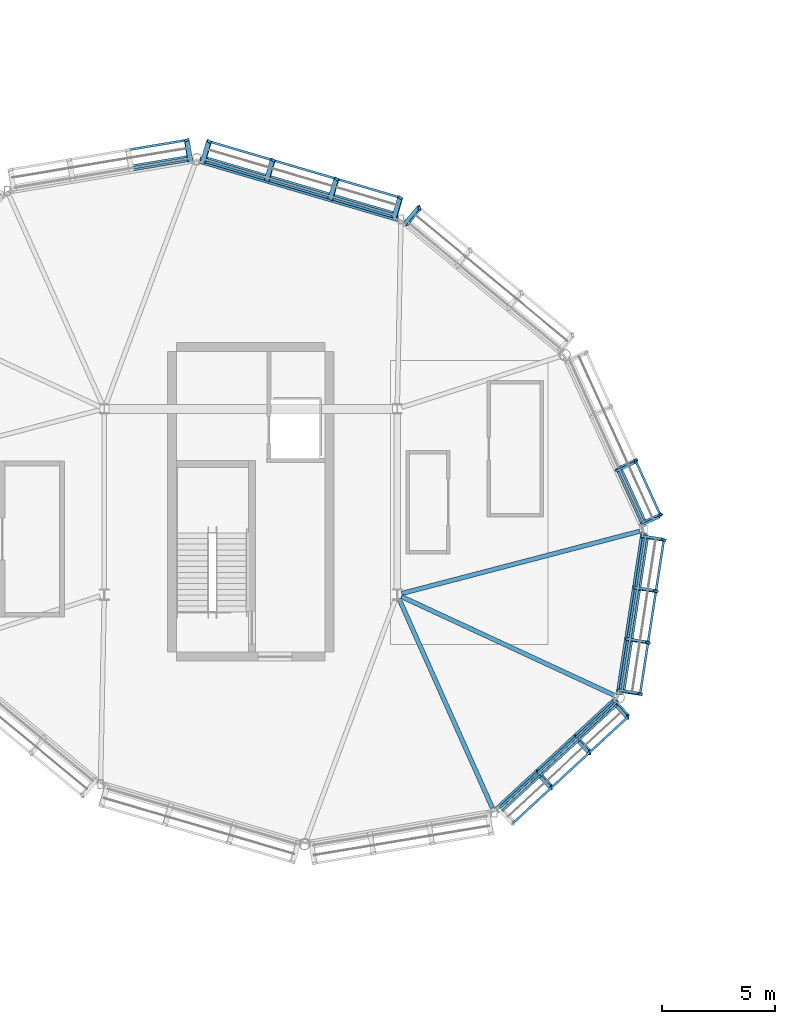
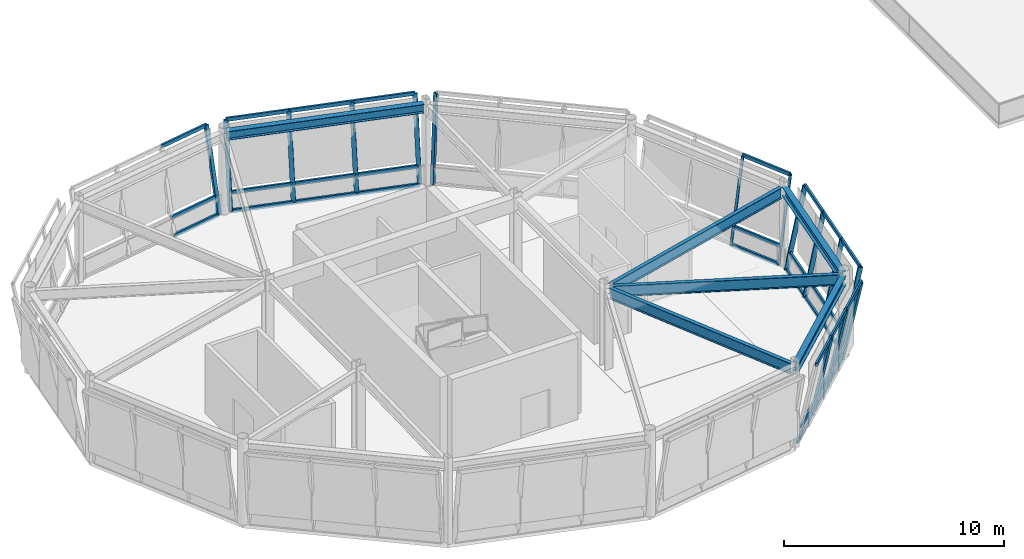
# One storey, part 46 of 94: 48 members, 6 beams, 6 elements without a shape of their own.
"""IFC4 building model written with IfcOpenShell, lengths in metres."""

from ifc_helpers import new_model, si_unit, direction, frame, origin, origin_2d, place, context, subcontext, project, spatial, hollow_rectangle, i_section, extrude, material, material_profile, profile_set, type_object, element, aggregate, save


model = new_model("IFC4")

# Units and contexts
model_context = context("Model", 3, precision=1e-05, world=origin(), true_north=direction((0.0, 1.0)))
body_context = subcontext(model_context, "Body", "Model", "MODEL_VIEW")
ifc_project = project(units=[si_unit("LENGTHUNIT", "METRE"), si_unit("AREAUNIT", "SQUARE_METRE"), si_unit("VOLUMEUNIT", "CUBIC_METRE"), si_unit("PLANEANGLEUNIT", "RADIAN"), si_unit("MASSUNIT", "GRAM", prefix="KILO")], contexts=[model_context])

# Site, building, storey
site_placement = place(None, origin())
site = spatial("IfcSite", under=ifc_project, at=site_placement, CompositionType="ELEMENT")
building_placement = place(site_placement, origin())
building = spatial("IfcBuilding", under=site, at=building_placement, Name="Linyun Crest Stadium", CompositionType="ELEMENT")
storey_placement = place(building_placement, frame((0.0, 0.0, 16.199951171875)))
storey = spatial("IfcBuildingStorey", under=building, at=storey_placement, Name="L04", CompositionType="ELEMENT", Elevation=16.199951171875)

# Beams
ifc_material_1 = material(Name="Steel Q355C", Category="steel")
ifc_material_profile_1 = material_profile(ifc_material_1, i_section(OverallWidth=0.300048828125, OverallDepth=0.488037109375, WebThickness=0.010986328125, FlangeThickness=0.01806640625, at=origin_2d()), Name="HM 488x300")
ifc_profile_set_1 = profile_set([ifc_material_profile_1], Name="Steel Q355C")
beam_type_1 = type_object("IfcBeamType", Name="B08", PredefinedType="BEAM", material=ifc_profile_set_1)
beam_1_placement = place(storey_placement, frame((-57.14697265625, 76.05908203125, 4.276123046875), z_axis=(0.152213453027, 0.988347643655, 0.0), x_axis=(-0.988347643655, 0.152213453027, 0.0)))
element("IfcBeam", 1, at=beam_1_placement, inside=storey, type_object=beam_type_1, Name="Pod ring girder B08 L04 25", PredefinedType="BEAM", context=body_context, shape_type="SweptSolid", body=[
    extrude(i_section(OverallWidth=0.300048828125, OverallDepth=0.488037109375, WebThickness=0.010986328125, FlangeThickness=0.01806640625, at=origin_2d()), origin(), (0.0, 0.0, 1.0), 7.278564453125),
])
beam_2_placement = place(storey_placement, frame((-66.948974609375, 97.197021484375, 4.276123046875), z_axis=(-0.959427571735, 0.281955199623, 0.0), x_axis=(-0.281955199623, -0.959427571735, 0.0)))
element("IfcBeam", 2, at=beam_2_placement, inside=storey, type_object=beam_type_1, Name="Pod ring girder B08 L04 31", PredefinedType="BEAM", context=body_context, shape_type="SweptSolid", body=[
    extrude(i_section(OverallWidth=0.300048828125, OverallDepth=0.488037109375, WebThickness=0.010986328125, FlangeThickness=0.01806640625, at=origin_2d()), origin(), (0.0, 0.0, 1.0), 9.203369140625),
])
beam_3_placement = place(storey_placement, frame((-62.59912109375, 70.9150390625, 4.276123046875), z_axis=(0.734193861678, 0.678939889441, 0.0), x_axis=(-0.678939889441, 0.734193861678, 0.0)))
element("IfcBeam", 3, at=beam_3_placement, inside=storey, type_object=beam_type_1, Name="Pod ring girder B08 L04 47", PredefinedType="BEAM", context=body_context, shape_type="SweptSolid", body=[
    extrude(i_section(OverallWidth=0.300048828125, OverallDepth=0.488037109375, WebThickness=0.010986328125, FlangeThickness=0.01806640625, at=origin_2d()), origin(), (0.0, 0.0, 1.0), 7.28173828125),
])
ifc_material_2 = material(Name="Steel Q355C", Category="steel")
ifc_material_profile_2 = material_profile(ifc_material_2, i_section(OverallWidth=0.199951171875, OverallDepth=0.60009765625, WebThickness=0.010986328125, FlangeThickness=0.01708984375, at=origin_2d()), Name="HN 600x200")
ifc_profile_set_2 = profile_set([ifc_material_profile_2], Name="Steel Q355C")
beam_type_2 = type_object("IfcBeamType", Name="B11", PredefinedType="BEAM", material=ifc_profile_set_2)
beam_4_placement = place(storey_placement, frame((-66.819091796875, 80.416015625, 4.219970703125), z_axis=(0.907241490816, -0.420610125106, 0.0), x_axis=(0.420610125106, 0.907241490816, 0.0)))
element("IfcBeam", 4, at=beam_4_placement, inside=storey, type_object=beam_type_2, Name="Pod radial tie girder B11 L04 26", PredefinedType="BEAM", context=body_context, shape_type="SweptSolid", body=[
    extrude(i_section(OverallWidth=0.199951171875, OverallDepth=0.60009765625, WebThickness=0.010986328125, FlangeThickness=0.01708984375, at=origin_2d()), origin(), (0.0, 0.0, 1.0), 10.420654296875),
])
beam_5_placement = place(storey_placement, frame((-66.806884765625, 80.551025390625, 4.219970703125), z_axis=(0.967466930693, 0.252997505948, 0.0), x_axis=(-0.252997505948, 0.967466930693, 0.0)))
element("IfcBeam", 5, at=beam_5_placement, inside=storey, type_object=beam_type_2, Name="Pod radial tie girder B11 L04 28", PredefinedType="BEAM", context=body_context, shape_type="SweptSolid", body=[
    extrude(i_section(OverallWidth=0.199951171875, OverallDepth=0.60009765625, WebThickness=0.010986328125, FlangeThickness=0.01708984375, at=origin_2d()), origin(), (0.0, 0.0, 1.0), 10.928466796875),
])
beam_6_placement = place(storey_placement, frame((-66.9189453125, 80.31689453125, 4.219970703125), z_axis=(0.407495258441, -0.913207322763, 0.0), x_axis=(0.913207322763, 0.407495258441, 0.0)))
element("IfcBeam", 6, at=beam_6_placement, inside=storey, type_object=beam_type_2, Name="Pod radial tie girder B11 L04 48", PredefinedType="BEAM", context=body_context, shape_type="SweptSolid", body=[
    extrude(i_section(OverallWidth=0.199951171875, OverallDepth=0.60009765625, WebThickness=0.010986328125, FlangeThickness=0.01708984375, at=origin_2d()), origin(), (0.0, 0.0, 1.0), 10.1640625),
])

# Curtain wall, members
ifc_material_3 = material(Name="Verdigris steel and low-E curtain wall assembly", Category="steel")
curtain_wall_type = type_object("IfcCurtainWallType", Name="MCW04", PredefinedType="NOTDEFINED", material=ifc_material_3)
curtain_wall_1_placement = place(storey_placement, origin())
curtain_wall_1 = element("IfcCurtainWall", 7, at=curtain_wall_1_placement, inside=storey, type_object=curtain_wall_type, Name="CWR-001", PredefinedType="NOTDEFINED")
ifc_material_4 = material(Name="Verdigris painted steel Q355C pod mullion", Category="steel")
ifc_material_profile_3 = material_profile(ifc_material_4, hollow_rectangle(XDim=0.1201171875, YDim=0.219970703125, WallThickness=0.008056640625, at=origin_2d()), Name="RHS 220x120x8")
ifc_profile_set_3 = profile_set([ifc_material_profile_3], Name="Verdigris painted steel Q355C pod mullion")
member_type_1 = type_object("IfcMemberType", Name="ML04", PredefinedType="MULLION", material=ifc_profile_set_3)
member_1_placement = place(storey_placement, frame((-57.118896484375, 76.237060546875, 0.0), z_axis=(0.197078126457, -0.030307333002, 0.979919219956), x_axis=(-0.297564133026, -0.954219848117, 0.030332625933)))
member_1 = element("IfcMember", 8, at=member_1_placement, type_object=member_type_1, Name="CWR-001 mullion 1", PredefinedType="MULLION", context=body_context, shape_type="SweptSolid", body=[
    extrude(hollow_rectangle(XDim=0.1201171875, YDim=0.219970703125, WallThickness=0.008056640625, at=origin_2d()), origin(), (0.0, 0.0, 1.0), 4.55126953125),
])
member_2_placement = place(storey_placement, frame((-56.76806640625, 78.51611328125, 0.0), z_axis=(0.19707780578, -0.030360924897, 0.979917625471), x_axis=(-0.297817594375, -0.954140733838, 0.030333817954)))
member_2 = element("IfcMember", 9, at=member_2_placement, type_object=member_type_1, Name="CWR-001 mullion 2", PredefinedType="MULLION", context=body_context, shape_type="SweptSolid", body=[
    extrude(hollow_rectangle(XDim=0.1201171875, YDim=0.219970703125, WallThickness=0.008056640625, at=origin_2d()), origin(), (0.0, 0.0, 1.0), 4.55126953125),
])
member_3_placement = place(storey_placement, frame((-56.41796875, 80.7958984375, 0.0), z_axis=(0.197078126457, -0.030307333002, 0.979919219956), x_axis=(-0.297564133026, -0.954219848117, 0.030332625933)))
member_3 = element("IfcMember", 10, at=member_3_placement, type_object=member_type_1, Name="CWR-001 mullion 3", PredefinedType="MULLION", context=body_context, shape_type="SweptSolid", body=[
    extrude(hollow_rectangle(XDim=0.1201171875, YDim=0.219970703125, WallThickness=0.008056640625, at=origin_2d()), origin(), (0.0, 0.0, 1.0), 4.55126953125),
])
member_4_placement = place(storey_placement, frame((-56.06689453125, 83.074951171875, 0.0), z_axis=(0.197078126457, -0.030307333002, 0.979919219956), x_axis=(-0.297564133026, -0.954219848117, 0.030332625933)))
member_4 = element("IfcMember", 11, at=member_4_placement, type_object=member_type_1, Name="CWR-001 mullion 4", PredefinedType="MULLION", context=body_context, shape_type="SweptSolid", body=[
    extrude(hollow_rectangle(XDim=0.1201171875, YDim=0.219970703125, WallThickness=0.008056640625, at=origin_2d()), origin(), (0.0, 0.0, 1.0), 4.55126953125),
])

curtain_wall_2_placement = place(storey_placement, origin())
curtain_wall_2 = element("IfcCurtainWall", 12, at=curtain_wall_2_placement, inside=storey, type_object=curtain_wall_type, Name="CWR-002", PredefinedType="NOTDEFINED")
member_5_placement = place(storey_placement, frame((-56.14501953125, 83.64501953125, 0.0), z_axis=(0.181468825356, 0.082607741959, 0.979920928643), x_axis=(0.746742899656, -0.659957267933, -0.082652563878)))
member_5 = element("IfcMember", 13, at=member_5_placement, type_object=member_type_1, Name="CWR-002 mullion 1", PredefinedType="MULLION", context=body_context, shape_type="SweptSolid", body=[
    extrude(hollow_rectangle(XDim=0.1201171875, YDim=0.219970703125, WallThickness=0.008056640625, at=origin_2d()), origin(), (0.0, 0.0, 1.0), 4.55126953125),
])
member_6_placement = place(storey_placement, frame((-57.241943359375, 86.052001953125, 0.0), z_axis=(0.18146560477, 0.082820837648, 0.979903537669), x_axis=(0.747382072803, -0.659228893566, -0.082687986678)))
member_6 = element("IfcMember", 14, at=member_6_placement, type_object=member_type_1, Name="CWR-002 mullion 2", PredefinedType="MULLION", context=body_context, shape_type="SweptSolid", body=[
    extrude(hollow_rectangle(XDim=0.1201171875, YDim=0.219970703125, WallThickness=0.008056640625, at=origin_2d()), origin(), (0.0, 0.0, 1.0), 4.551513671875),
])

# Curtain wall, member
curtain_wall_3_placement = place(storey_placement, origin())
curtain_wall_3 = element("IfcCurtainWall", 15, at=curtain_wall_3_placement, inside=storey, type_object=curtain_wall_type, Name="CWR-003", PredefinedType="NOTDEFINED")
member_7_placement = place(storey_placement, frame((-66.60302734375, 96.971923828125, 0.0), z_axis=(0.127236122693, 0.153573785527, 0.979911251839), x_axis=(0.972616489706, 0.174405811147, -0.153622189123)))
member_7 = element("IfcMember", 16, at=member_7_placement, type_object=member_type_1, Name="CWR-003 mullion 4", PredefinedType="MULLION", context=body_context, shape_type="SweptSolid", body=[
    extrude(hollow_rectangle(XDim=0.1201171875, YDim=0.219970703125, WallThickness=0.008056640625, at=origin_2d()), origin(), (0.0, 0.0, 1.0), 4.551513671875),
])
aggregate(curtain_wall_3, [member_7])

# Curtain wall, members
curtain_wall_4_placement = place(storey_placement, origin())
curtain_wall_4 = element("IfcCurtainWall", 17, at=curtain_wall_4_placement, inside=storey, type_object=curtain_wall_type, Name="CWR-004", PredefinedType="NOTDEFINED")
member_8_placement = place(storey_placement, frame((-67.1220703125, 97.248046875, 0.0), z_axis=(0.056269203704, 0.191336748916, 0.97991021284), x_axis=(0.535797721848, 0.822379546579, -0.191344408412)))
member_8 = element("IfcMember", 18, at=member_8_placement, type_object=member_type_1, Name="CWR-004 mullion 1", PredefinedType="MULLION", context=body_context, shape_type="SweptSolid", body=[
    extrude(hollow_rectangle(XDim=0.1201171875, YDim=0.219970703125, WallThickness=0.008056640625, at=origin_2d()), origin(), (0.0, 0.0, 1.0), 4.551513671875),
])
member_9_placement = place(storey_placement, frame((-69.949951171875, 98.0791015625, 0.0), z_axis=(0.056215732497, 0.19133732616, 0.979913169132), x_axis=(0.535586287554, 0.822520503693, -0.191330472193)))
member_9 = element("IfcMember", 19, at=member_9_placement, type_object=member_type_1, Name="CWR-004 mullion 2", PredefinedType="MULLION", context=body_context, shape_type="SweptSolid", body=[
    extrude(hollow_rectangle(XDim=0.1201171875, YDim=0.219970703125, WallThickness=0.008056640625, at=origin_2d()), origin(), (0.0, 0.0, 1.0), 4.55126953125),
])
member_10_placement = place(storey_placement, frame((-72.778076171875, 98.909912109375, 0.0), z_axis=(0.056268626116, 0.191388425148, 0.979900154319), x_axis=(0.535732609675, 0.822410933305, -0.191391817253)))
member_10 = element("IfcMember", 20, at=member_10_placement, type_object=member_type_1, Name="CWR-004 mullion 3", PredefinedType="MULLION", context=body_context, shape_type="SweptSolid", body=[
    extrude(hollow_rectangle(XDim=0.1201171875, YDim=0.219970703125, WallThickness=0.008056640625, at=origin_2d()), origin(), (0.0, 0.0, 1.0), 4.551513671875),
])
member_11_placement = place(storey_placement, frame((-75.60595703125, 99.740966796875, 0.0), z_axis=(0.056215155453, 0.191389002536, 0.979903110519), x_axis=(0.535521217083, 0.822551841019, -0.191377885059)))
member_11 = element("IfcMember", 21, at=member_11_placement, type_object=member_type_1, Name="CWR-004 mullion 4", PredefinedType="MULLION", context=body_context, shape_type="SweptSolid", body=[
    extrude(hollow_rectangle(XDim=0.1201171875, YDim=0.219970703125, WallThickness=0.008056640625, at=origin_2d()), origin(), (0.0, 0.0, 1.0), 4.551513671875),
])

# Curtain wall, member
curtain_wall_5_placement = place(storey_placement, origin())
curtain_wall_5 = element("IfcCurtainWall", 22, at=curtain_wall_5_placement, inside=storey, type_object=curtain_wall_type, Name="CWR-005", PredefinedType="NOTDEFINED")
member_12_placement = place(storey_placement, frame((-76.18994140625, 99.77587890625, 0.0), z_axis=(-0.03298938458, 0.196648916861, 0.979918825211), x_axis=(-0.322673171426, 0.925854197234, -0.196662222875)))
member_12 = element("IfcMember", 23, at=member_12_placement, type_object=member_type_1, Name="CWR-005 mullion 1", PredefinedType="MULLION", context=body_context, shape_type="SweptSolid", body=[
    extrude(hollow_rectangle(XDim=0.1201171875, YDim=0.219970703125, WallThickness=0.008056640625, at=origin_2d()), origin(), (0.0, 0.0, 1.0), 4.55126953125),
])

# Curtain wall, members
curtain_wall_6_placement = place(storey_placement, origin())
curtain_wall_6 = element("IfcCurtainWall", 24, at=curtain_wall_6_placement, inside=storey, type_object=curtain_wall_type, Name="CWR-012", PredefinedType="NOTDEFINED")
member_13_placement = place(storey_placement, frame((-60.77294921875, 72.60400390625, 0.0), z_axis=(0.135338938, -0.146335561976, 0.979933301384), x_axis=(-0.986931761781, 0.067392260663, 0.146369330089)))
member_13 = element("IfcMember", 25, at=member_13_placement, type_object=member_type_1, Name="CWR-012 mullion 2", PredefinedType="MULLION", context=body_context, shape_type="SweptSolid", body=[
    extrude(hollow_rectangle(XDim=0.1201171875, YDim=0.219970703125, WallThickness=0.008056640625, at=origin_2d()), origin(), (0.0, 0.0, 1.0), 4.55126953125),
])
member_14_placement = place(storey_placement, frame((-59.0791015625, 74.169921875, 0.0), z_axis=(0.135391596953, -0.146334499401, 0.979926185873), x_axis=(-0.98694150652, 0.06719346801, 0.146395015502)))
member_14 = element("IfcMember", 26, at=member_14_placement, type_object=member_type_1, Name="CWR-012 mullion 3", PredefinedType="MULLION", context=body_context, shape_type="SweptSolid", body=[
    extrude(hollow_rectangle(XDim=0.1201171875, YDim=0.219970703125, WallThickness=0.008056640625, at=origin_2d()), origin(), (0.0, 0.0, 1.0), 4.55126953125),
])
member_15_placement = place(storey_placement, frame((-57.385009765625, 75.736083984375, 0.0), z_axis=(0.135338938, -0.146335561976, 0.979933301384), x_axis=(-0.986931761781, 0.067392260663, 0.146369330089)))
member_15 = element("IfcMember", 27, at=member_15_placement, type_object=member_type_1, Name="CWR-012 mullion 4", PredefinedType="MULLION", context=body_context, shape_type="SweptSolid", body=[
    extrude(hollow_rectangle(XDim=0.1201171875, YDim=0.219970703125, WallThickness=0.008056640625, at=origin_2d()), origin(), (0.0, 0.0, 1.0), 4.55126953125),
])

# Member
ifc_material_5 = material(Name="Verdigris painted steel Q355C transom", Category="steel")
ifc_material_profile_4 = material_profile(ifc_material_5, hollow_rectangle(XDim=0.10009765625, YDim=0.199951171875, WallThickness=0.008056640625, at=origin_2d()), Name="RHS 200x100x8")
ifc_profile_set_4 = profile_set([ifc_material_profile_4], Name="Verdigris painted steel Q355C transom")
member_type_2 = type_object("IfcMemberType", Name="TR03", PredefinedType="USERDEFINED", material=ifc_profile_set_4)
member_16_placement = place(storey_placement, frame((-57.118896484375, 76.237060546875, 0.0), z_axis=(0.152144700169, 0.988358229697, 0.0), x_axis=(-0.988358229697, 0.152144700169, 0.0)))
member_16 = element("IfcMember", 28, at=member_16_placement, type_object=member_type_2, Name="CWR-001 transom 1.1", ObjectType="TRANSOM", PredefinedType="USERDEFINED", context=body_context, shape_type="SweptSolid", body=[
    extrude(hollow_rectangle(XDim=0.10009765625, YDim=0.199951171875, WallThickness=0.008056640625, at=origin_2d()), origin(), (0.0, 0.0, 1.0), 2.305908203125),
])

member_17_placement = place(storey_placement, frame((-56.93798828125, 76.208984375, 0.900146484375), z_axis=(0.152248123454, 0.988342303509, 0.0), x_axis=(-0.988342303509, 0.152248123454, 0.0)))
member_17 = element("IfcMember", 29, at=member_17_placement, type_object=member_type_2, Name="CWR-001 transom 1.2", ObjectType="TRANSOM", PredefinedType="USERDEFINED", context=body_context, shape_type="SweptSolid", body=[
    extrude(hollow_rectangle(XDim=0.10009765625, YDim=0.199951171875, WallThickness=0.008056640625, at=origin_2d()), origin(), (0.0, 0.0, 1.0), 2.305908203125),
])

member_18_placement = place(storey_placement, frame((-56.221923828125, 76.09912109375, 4.4599609375), z_axis=(0.152160622849, 0.98835577848, 0.0), x_axis=(-0.98835577848, 0.152160622849, 0.0)))
member_18 = element("IfcMember", 30, at=member_18_placement, type_object=member_type_2, Name="CWR-001 transom 1.3", ObjectType="TRANSOM", PredefinedType="USERDEFINED", context=body_context, shape_type="SweptSolid", body=[
    extrude(hollow_rectangle(XDim=0.10009765625, YDim=0.199951171875, WallThickness=0.008056640625, at=origin_2d()), origin(), (0.0, 0.0, 1.0), 2.3056640625),
])

member_19_placement = place(storey_placement, frame((-56.76806640625, 78.51611328125, 0.0), z_axis=(0.15178674483, 0.988413265843, 0.0), x_axis=(-0.988413265843, 0.15178674483, 0.0)))
member_19 = element("IfcMember", 31, at=member_19_placement, type_object=member_type_2, Name="CWR-001 transom 2.1", ObjectType="TRANSOM", PredefinedType="USERDEFINED", context=body_context, shape_type="SweptSolid", body=[
    extrude(hollow_rectangle(XDim=0.10009765625, YDim=0.199951171875, WallThickness=0.008056640625, at=origin_2d()), origin(), (0.0, 0.0, 1.0), 2.306396484375),
])

member_20_placement = place(storey_placement, frame((-56.5869140625, 78.488037109375, 0.900146484375), z_axis=(0.151667464216, 0.988431575931, 0.0), x_axis=(-0.988431575931, 0.151667464216, 0.0)))
member_20 = element("IfcMember", 32, at=member_20_placement, type_object=member_type_2, Name="CWR-001 transom 2.2", ObjectType="TRANSOM", PredefinedType="USERDEFINED", context=body_context, shape_type="SweptSolid", body=[
    extrude(hollow_rectangle(XDim=0.10009765625, YDim=0.199951171875, WallThickness=0.008056640625, at=origin_2d()), origin(), (0.0, 0.0, 1.0), 2.306640625),
])

member_21_placement = place(storey_placement, frame((-55.87109375, 78.3779296875, 4.4599609375), z_axis=(0.15177086623, 0.988415704127, 0.0), x_axis=(-0.988415704127, 0.15177086623, 0.0)))
member_21 = element("IfcMember", 33, at=member_21_placement, type_object=member_type_2, Name="CWR-001 transom 2.3", ObjectType="TRANSOM", PredefinedType="USERDEFINED", context=body_context, shape_type="SweptSolid", body=[
    extrude(hollow_rectangle(XDim=0.10009765625, YDim=0.199951171875, WallThickness=0.008056640625, at=origin_2d()), origin(), (0.0, 0.0, 1.0), 2.306640625),
])

member_22_placement = place(storey_placement, frame((-56.41796875, 80.7958984375, 0.0), z_axis=(0.152248123454, 0.988342303509, 0.0), x_axis=(-0.988342303509, 0.152248123454, 0.0)))
member_22 = element("IfcMember", 34, at=member_22_placement, type_object=member_type_2, Name="CWR-001 transom 3.1", ObjectType="TRANSOM", PredefinedType="USERDEFINED", context=body_context, shape_type="SweptSolid", body=[
    extrude(hollow_rectangle(XDim=0.10009765625, YDim=0.199951171875, WallThickness=0.008056640625, at=origin_2d()), origin(), (0.0, 0.0, 1.0), 2.305908203125),
])

member_23_placement = place(storey_placement, frame((-56.237060546875, 80.76806640625, 0.900146484375), z_axis=(0.152248123454, 0.988342303509, 0.0), x_axis=(-0.988342303509, 0.152248123454, 0.0)))
member_23 = element("IfcMember", 35, at=member_23_placement, type_object=member_type_2, Name="CWR-001 transom 3.2", ObjectType="TRANSOM", PredefinedType="USERDEFINED", context=body_context, shape_type="SweptSolid", body=[
    extrude(hollow_rectangle(XDim=0.10009765625, YDim=0.199951171875, WallThickness=0.008056640625, at=origin_2d()), origin(), (0.0, 0.0, 1.0), 2.305908203125),
])

member_24_placement = place(storey_placement, frame((-55.52099609375, 80.657958984375, 4.4599609375), z_axis=(0.152248123454, 0.988342303509, 0.0), x_axis=(-0.988342303509, 0.152248123454, 0.0)))
member_24 = element("IfcMember", 36, at=member_24_placement, type_object=member_type_2, Name="CWR-001 transom 3.3", ObjectType="TRANSOM", PredefinedType="USERDEFINED", context=body_context, shape_type="SweptSolid", body=[
    extrude(hollow_rectangle(XDim=0.10009765625, YDim=0.199951171875, WallThickness=0.008056640625, at=origin_2d()), origin(), (0.0, 0.0, 1.0), 2.305908203125),
])

aggregate(curtain_wall_1, [member_1, member_2, member_3, member_4, member_16, member_17, member_18, member_19, member_20, member_21, member_22, member_23, member_24])

member_25_placement = place(storey_placement, frame((-56.14501953125, 83.64501953125, 0.0), z_axis=(-0.414692848815, 0.90996145036, 0.0), x_axis=(-0.90996145036, -0.414692848815, 0.0)))
member_25 = element("IfcMember", 37, at=member_25_placement, type_object=member_type_2, Name="CWR-002 transom 1.1", ObjectType="TRANSOM", PredefinedType="USERDEFINED", context=body_context, shape_type="SweptSolid", body=[
    extrude(hollow_rectangle(XDim=0.10009765625, YDim=0.199951171875, WallThickness=0.008056640625, at=origin_2d()), origin(), (0.0, 0.0, 1.0), 2.645263671875),
])

member_26_placement = place(storey_placement, frame((-55.97802734375, 83.720947265625, 0.900146484375), z_axis=(-0.414692848815, 0.90996145036, 0.0), x_axis=(-0.90996145036, -0.414692848815, 0.0)))
member_26 = element("IfcMember", 38, at=member_26_placement, type_object=member_type_2, Name="CWR-002 transom 1.2", ObjectType="TRANSOM", PredefinedType="USERDEFINED", context=body_context, shape_type="SweptSolid", body=[
    extrude(hollow_rectangle(XDim=0.10009765625, YDim=0.199951171875, WallThickness=0.008056640625, at=origin_2d()), origin(), (0.0, 0.0, 1.0), 2.645263671875),
])

member_27_placement = place(storey_placement, frame((-55.319091796875, 84.02099609375, 4.4599609375), z_axis=(-0.414553575176, 0.910024908071, 0.0), x_axis=(-0.910024908071, -0.414553575176, 0.0)))
member_27 = element("IfcMember", 39, at=member_27_placement, type_object=member_type_2, Name="CWR-002 transom 1.3", ObjectType="TRANSOM", PredefinedType="USERDEFINED", context=body_context, shape_type="SweptSolid", body=[
    extrude(hollow_rectangle(XDim=0.10009765625, YDim=0.199951171875, WallThickness=0.008056640625, at=origin_2d()), origin(), (0.0, 0.0, 1.0), 2.64599609375),
])

aggregate(curtain_wall_2, [member_5, member_6, member_25, member_26, member_27])

member_28_placement = place(storey_placement, frame((-67.1220703125, 97.248046875, 0.0), z_axis=(-0.959427469513, 0.28195554746, 0.0), x_axis=(-0.28195554746, -0.959427469513, 0.0)))
member_28 = element("IfcMember", 40, at=member_28_placement, type_object=member_type_2, Name="CWR-004 transom 1.1", ObjectType="TRANSOM", PredefinedType="USERDEFINED", context=body_context, shape_type="SweptSolid", body=[
    extrude(hollow_rectangle(XDim=0.10009765625, YDim=0.199951171875, WallThickness=0.008056640625, at=origin_2d()), origin(), (0.0, 0.0, 1.0), 2.947509765625),
])

member_29_placement = place(storey_placement, frame((-67.070068359375, 97.424072265625, 0.900146484375), z_axis=(-0.959449874016, 0.281879299083, 0.0), x_axis=(-0.281879299083, -0.959449874016, 0.0)))
member_29 = element("IfcMember", 41, at=member_29_placement, type_object=member_type_2, Name="CWR-004 transom 1.2", ObjectType="TRANSOM", PredefinedType="USERDEFINED", context=body_context, shape_type="SweptSolid", body=[
    extrude(hollow_rectangle(XDim=0.10009765625, YDim=0.199951171875, WallThickness=0.008056640625, at=origin_2d()), origin(), (0.0, 0.0, 1.0), 2.947509765625),
])

member_30_placement = place(storey_placement, frame((-66.865966796875, 98.118896484375, 4.4599609375), z_axis=(-0.959434053677, 0.281933142154, 0.0), x_axis=(-0.281933142154, -0.959434053677, 0.0)))
member_30 = element("IfcMember", 42, at=member_30_placement, type_object=member_type_2, Name="CWR-004 transom 1.3", ObjectType="TRANSOM", PredefinedType="USERDEFINED", context=body_context, shape_type="SweptSolid", body=[
    extrude(hollow_rectangle(XDim=0.10009765625, YDim=0.199951171875, WallThickness=0.008056640625, at=origin_2d()), origin(), (0.0, 0.0, 1.0), 2.94775390625),
])

member_31_placement = place(storey_placement, frame((-69.949951171875, 98.0791015625, 0.0), z_axis=(-0.959456454772, 0.281856898791, 0.0), x_axis=(-0.281856898791, -0.959456454772, 0.0)))
member_31 = element("IfcMember", 43, at=member_31_placement, type_object=member_type_2, Name="CWR-004 transom 2.1", ObjectType="TRANSOM", PredefinedType="USERDEFINED", context=body_context, shape_type="SweptSolid", body=[
    extrude(hollow_rectangle(XDim=0.10009765625, YDim=0.199951171875, WallThickness=0.008056640625, at=origin_2d()), origin(), (0.0, 0.0, 1.0), 2.94775390625),
])

member_32_placement = place(storey_placement, frame((-69.89794921875, 98.2548828125, 0.900146484375), z_axis=(-0.959434053677, 0.281933142154, 0.0), x_axis=(-0.281933142154, -0.959434053677, 0.0)))
member_32 = element("IfcMember", 44, at=member_32_placement, type_object=member_type_2, Name="CWR-004 transom 2.2", ObjectType="TRANSOM", PredefinedType="USERDEFINED", context=body_context, shape_type="SweptSolid", body=[
    extrude(hollow_rectangle(XDim=0.10009765625, YDim=0.199951171875, WallThickness=0.008056640625, at=origin_2d()), origin(), (0.0, 0.0, 1.0), 2.94775390625),
])

member_33_placement = place(storey_placement, frame((-69.694091796875, 98.949951171875, 4.4599609375), z_axis=(-0.959427469513, 0.28195554746, 0.0), x_axis=(-0.28195554746, -0.959427469513, 0.0)))
member_33 = element("IfcMember", 45, at=member_33_placement, type_object=member_type_2, Name="CWR-004 transom 2.3", ObjectType="TRANSOM", PredefinedType="USERDEFINED", context=body_context, shape_type="SweptSolid", body=[
    extrude(hollow_rectangle(XDim=0.10009765625, YDim=0.199951171875, WallThickness=0.008056640625, at=origin_2d()), origin(), (0.0, 0.0, 1.0), 2.947509765625),
])

member_34_placement = place(storey_placement, frame((-72.778076171875, 98.909912109375, 0.0), z_axis=(-0.959427469513, 0.28195554746, 0.0), x_axis=(-0.28195554746, -0.959427469513, 0.0)))
member_34 = element("IfcMember", 46, at=member_34_placement, type_object=member_type_2, Name="CWR-004 transom 3.1", ObjectType="TRANSOM", PredefinedType="USERDEFINED", context=body_context, shape_type="SweptSolid", body=[
    extrude(hollow_rectangle(XDim=0.10009765625, YDim=0.199951171875, WallThickness=0.008056640625, at=origin_2d()), origin(), (0.0, 0.0, 1.0), 2.947509765625),
])

member_35_placement = place(storey_placement, frame((-72.72607421875, 99.0859375, 0.900146484375), z_axis=(-0.959427469513, 0.28195554746, 0.0), x_axis=(-0.28195554746, -0.959427469513, 0.0)))
member_35 = element("IfcMember", 47, at=member_35_placement, type_object=member_type_2, Name="CWR-004 transom 3.2", ObjectType="TRANSOM", PredefinedType="USERDEFINED", context=body_context, shape_type="SweptSolid", body=[
    extrude(hollow_rectangle(XDim=0.10009765625, YDim=0.199951171875, WallThickness=0.008056640625, at=origin_2d()), origin(), (0.0, 0.0, 1.0), 2.947509765625),
])

member_36_placement = place(storey_placement, frame((-72.52197265625, 99.781005859375, 4.4599609375), z_axis=(-0.959434053677, 0.281933142154, 0.0), x_axis=(-0.281933142154, -0.959434053677, 0.0)))
member_36 = element("IfcMember", 48, at=member_36_placement, type_object=member_type_2, Name="CWR-004 transom 3.3", ObjectType="TRANSOM", PredefinedType="USERDEFINED", context=body_context, shape_type="SweptSolid", body=[
    extrude(hollow_rectangle(XDim=0.10009765625, YDim=0.199951171875, WallThickness=0.008056640625, at=origin_2d()), origin(), (0.0, 0.0, 1.0), 2.94775390625),
])

aggregate(curtain_wall_4, [member_8, member_9, member_10, member_11, member_28, member_29, member_30, member_31, member_32, member_33, member_34, member_35, member_36])

member_37_placement = place(storey_placement, frame((-76.18994140625, 99.77587890625, 0.0), z_axis=(-0.986276442989, -0.165102325864, 0.0), x_axis=(0.165102325864, -0.986276442989, 0.0)))
member_37 = element("IfcMember", 49, at=member_37_placement, type_object=member_type_2, Name="CWR-005 transom 1.1", ObjectType="TRANSOM", PredefinedType="USERDEFINED", context=body_context, shape_type="SweptSolid", body=[
    extrude(hollow_rectangle(XDim=0.10009765625, YDim=0.199951171875, WallThickness=0.008056640625, at=origin_2d()), origin(), (0.0, 0.0, 1.0), 2.6455078125),
])

member_38_placement = place(storey_placement, frame((-76.219970703125, 99.95703125, 0.900146484375), z_axis=(-0.986261411357, -0.165192095661, 0.0), x_axis=(0.165192095661, -0.986261411357, 0.0)))
member_38 = element("IfcMember", 50, at=member_38_placement, type_object=member_type_2, Name="CWR-005 transom 1.2", ObjectType="TRANSOM", PredefinedType="USERDEFINED", context=body_context, shape_type="SweptSolid", body=[
    extrude(hollow_rectangle(XDim=0.10009765625, YDim=0.199951171875, WallThickness=0.008056640625, at=origin_2d()), origin(), (0.0, 0.0, 1.0), 2.6455078125),
])

member_39_placement = place(storey_placement, frame((-76.340087890625, 100.6708984375, 4.4599609375), z_axis=(-0.98625889267, -0.165207132499, 0.0), x_axis=(0.165207132499, -0.98625889267, 0.0)))
member_39 = element("IfcMember", 51, at=member_39_placement, type_object=member_type_2, Name="CWR-005 transom 1.3", ObjectType="TRANSOM", PredefinedType="USERDEFINED", context=body_context, shape_type="SweptSolid", body=[
    extrude(hollow_rectangle(XDim=0.10009765625, YDim=0.199951171875, WallThickness=0.008056640625, at=origin_2d()), origin(), (0.0, 0.0, 1.0), 2.645263671875),
])

aggregate(curtain_wall_5, [member_12, member_37, member_38, member_39])

member_40_placement = place(storey_placement, frame((-62.467041015625, 71.0380859375, 0.0), z_axis=(0.734340741023, 0.678781022182, 0.0), x_axis=(-0.678781022182, 0.734340741023, 0.0)))
member_40 = element("IfcMember", 52, at=member_40_placement, type_object=member_type_2, Name="CWR-012 transom 1.1", ObjectType="TRANSOM", PredefinedType="USERDEFINED", context=body_context, shape_type="SweptSolid", body=[
    extrude(hollow_rectangle(XDim=0.10009765625, YDim=0.199951171875, WallThickness=0.008056640625, at=origin_2d()), origin(), (0.0, 0.0, 1.0), 2.306884765625),
])

member_41_placement = place(storey_placement, frame((-62.343017578125, 70.904052734375, 0.900146484375), z_axis=(0.734340741023, 0.678781022182, 0.0), x_axis=(-0.678781022182, 0.734340741023, 0.0)))
member_41 = element("IfcMember", 53, at=member_41_placement, type_object=member_type_2, Name="CWR-012 transom 1.2", ObjectType="TRANSOM", PredefinedType="USERDEFINED", context=body_context, shape_type="SweptSolid", body=[
    extrude(hollow_rectangle(XDim=0.10009765625, YDim=0.199951171875, WallThickness=0.008056640625, at=origin_2d()), origin(), (0.0, 0.0, 1.0), 2.306884765625),
])

member_42_placement = place(storey_placement, frame((-61.85107421875, 70.3720703125, 4.4599609375), z_axis=(0.734340741023, 0.678781022182, 0.0), x_axis=(-0.678781022182, 0.734340741023, 0.0)))
member_42 = element("IfcMember", 54, at=member_42_placement, type_object=member_type_2, Name="CWR-012 transom 1.3", ObjectType="TRANSOM", PredefinedType="USERDEFINED", context=body_context, shape_type="SweptSolid", body=[
    extrude(hollow_rectangle(XDim=0.10009765625, YDim=0.199951171875, WallThickness=0.008056640625, at=origin_2d()), origin(), (0.0, 0.0, 1.0), 2.306884765625),
])

member_43_placement = place(storey_placement, frame((-60.77294921875, 72.60400390625, 0.0), z_axis=(0.73429197574, 0.678833775208, 0.0), x_axis=(-0.678833775208, 0.73429197574, 0.0)))
member_43 = element("IfcMember", 55, at=member_43_placement, type_object=member_type_2, Name="CWR-012 transom 2.1", ObjectType="TRANSOM", PredefinedType="USERDEFINED", context=body_context, shape_type="SweptSolid", body=[
    extrude(hollow_rectangle(XDim=0.10009765625, YDim=0.199951171875, WallThickness=0.008056640625, at=origin_2d()), origin(), (0.0, 0.0, 1.0), 2.306884765625),
])

member_44_placement = place(storey_placement, frame((-60.64892578125, 72.469970703125, 0.900146484375), z_axis=(0.73429197574, 0.678833775208, 0.0), x_axis=(-0.678833775208, 0.73429197574, 0.0)))
member_44 = element("IfcMember", 56, at=member_44_placement, type_object=member_type_2, Name="CWR-012 transom 2.2", ObjectType="TRANSOM", PredefinedType="USERDEFINED", context=body_context, shape_type="SweptSolid", body=[
    extrude(hollow_rectangle(XDim=0.10009765625, YDim=0.199951171875, WallThickness=0.008056640625, at=origin_2d()), origin(), (0.0, 0.0, 1.0), 2.306884765625),
])

member_45_placement = place(storey_placement, frame((-60.156982421875, 71.93798828125, 4.4599609375), z_axis=(0.734340741023, 0.678781022182, 0.0), x_axis=(-0.678781022182, 0.734340741023, 0.0)))
member_45 = element("IfcMember", 57, at=member_45_placement, type_object=member_type_2, Name="CWR-012 transom 2.3", ObjectType="TRANSOM", PredefinedType="USERDEFINED", context=body_context, shape_type="SweptSolid", body=[
    extrude(hollow_rectangle(XDim=0.10009765625, YDim=0.199951171875, WallThickness=0.008056640625, at=origin_2d()), origin(), (0.0, 0.0, 1.0), 2.306884765625),
])

member_46_placement = place(storey_placement, frame((-59.0791015625, 74.169921875, 0.0), z_axis=(0.734287991916, 0.678838084471, 0.0), x_axis=(-0.678838084471, 0.734287991916, 0.0)))
member_46 = element("IfcMember", 58, at=member_46_placement, type_object=member_type_2, Name="CWR-012 transom 3.1", ObjectType="TRANSOM", PredefinedType="USERDEFINED", context=body_context, shape_type="SweptSolid", body=[
    extrude(hollow_rectangle(XDim=0.10009765625, YDim=0.199951171875, WallThickness=0.008056640625, at=origin_2d()), origin(), (0.0, 0.0, 1.0), 2.30712890625),
])

member_47_placement = place(storey_placement, frame((-58.955078125, 74.035888671875, 0.900146484375), z_axis=(0.734287991916, 0.678838084471, 0.0), x_axis=(-0.678838084471, 0.734287991916, 0.0)))
member_47 = element("IfcMember", 59, at=member_47_placement, type_object=member_type_2, Name="CWR-012 transom 3.2", ObjectType="TRANSOM", PredefinedType="USERDEFINED", context=body_context, shape_type="SweptSolid", body=[
    extrude(hollow_rectangle(XDim=0.10009765625, YDim=0.199951171875, WallThickness=0.008056640625, at=origin_2d()), origin(), (0.0, 0.0, 1.0), 2.30712890625),
])

member_48_placement = place(storey_placement, frame((-58.462890625, 73.50390625, 4.4599609375), z_axis=(0.734239221938, 0.678890834352, 0.0), x_axis=(-0.678890834352, 0.734239221938, 0.0)))
member_48 = element("IfcMember", 60, at=member_48_placement, type_object=member_type_2, Name="CWR-012 transom 3.3", ObjectType="TRANSOM", PredefinedType="USERDEFINED", context=body_context, shape_type="SweptSolid", body=[
    extrude(hollow_rectangle(XDim=0.10009765625, YDim=0.199951171875, WallThickness=0.008056640625, at=origin_2d()), origin(), (0.0, 0.0, 1.0), 2.306884765625),
])

aggregate(curtain_wall_6, [member_13, member_14, member_15, member_40, member_41, member_42, member_43, member_44, member_45, member_46, member_47, member_48])

save(model, "model.ifc")
